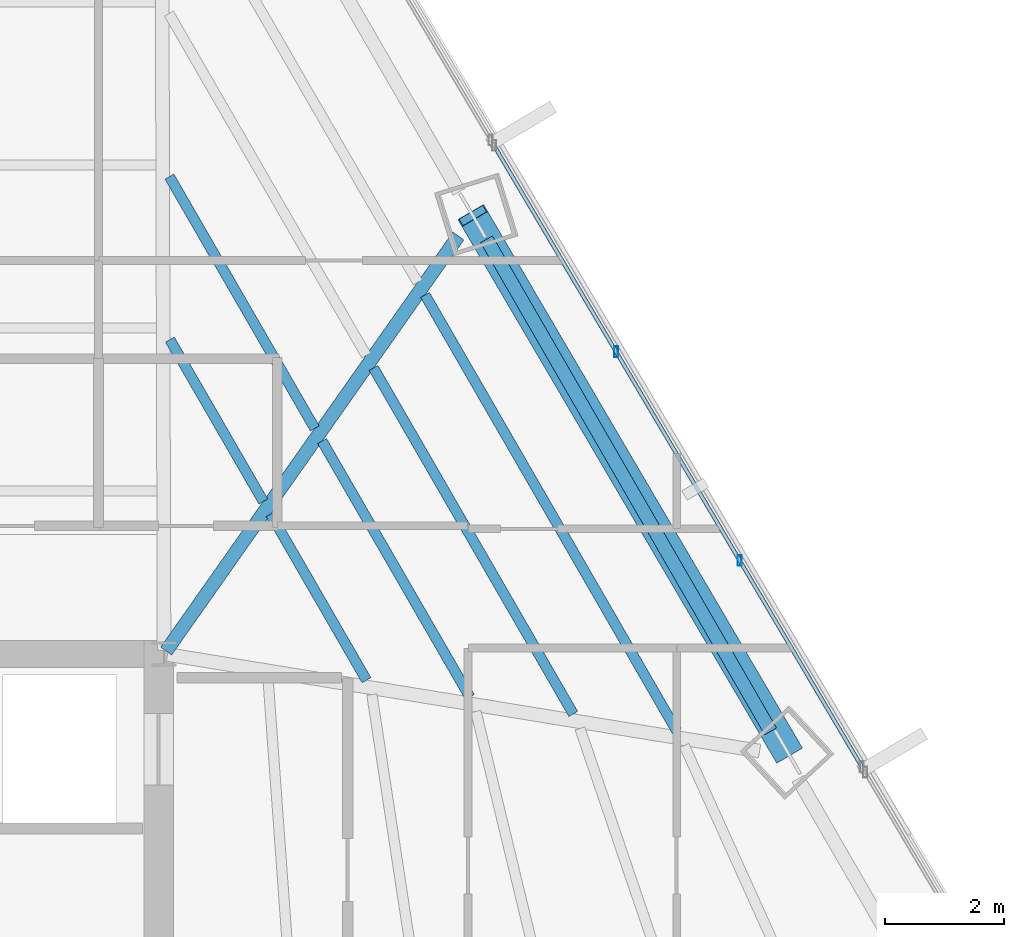
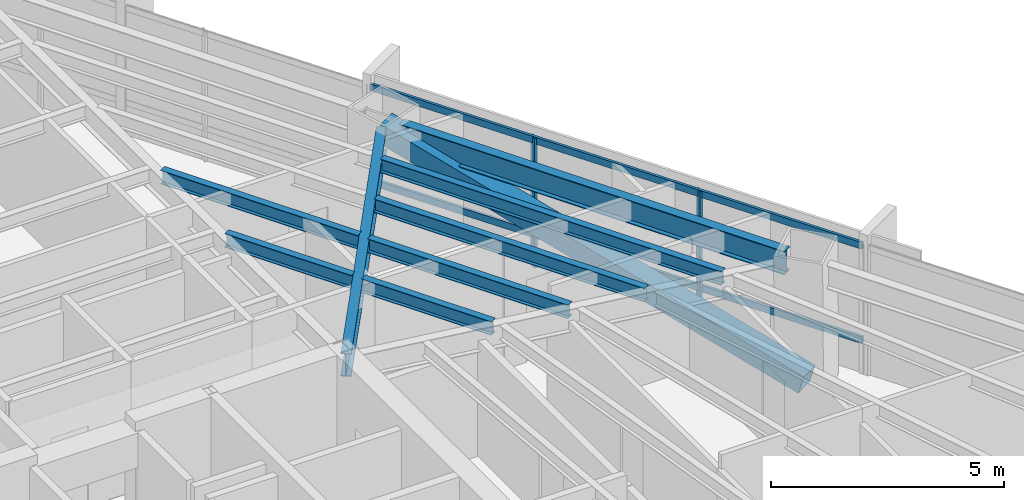
# One storey, part 22 of 37: 8 beams, 5 members, 1 element without a shape of its own.
"""IFC4 building model written with IfcOpenShell, lengths in metres."""

import ifcopenshell
import ifcopenshell.guid

model = None  # the IFC model being written
_history = None  # IfcOwnerHistory: only IFC2X3 demands one
_inside = {}  # id of a spatial element -> (the spatial element, [elements in it])
_under = {}  # id of a project, library or spatial element -> (it, [spatial elements below it])
_declared = {}  # id of a project -> (the project, [libraries it declares])
_typed = {}  # id of a type object -> (the type object, [elements of that type])
_made_of = {}  # id of a material, layer set ... -> (it, [elements and type objects made of it])


def new_model(schema):
    """Start an empty IFC model of exactly this schema.

    Asked for "IFC4X3", IfcOpenShell would pick the latest addendum, in which some entities
    have other attributes; the version numbers below select the first issue.
    IFC2X3 requires an IfcOwnerHistory on every rooted entity: one is made here for all.
    """
    global model, _history
    if schema == "IFC4X3":
        model = ifcopenshell.file(schema_version=(4, 3, 0, 0))
    else:
        model = ifcopenshell.file(schema=schema)
    _inside.clear()
    _under.clear()
    _declared.clear()
    _typed.clear()
    _made_of.clear()
    _history = None
    if model.schema == "IFC2X3":
        org = make("IfcOrganization", Name="unknown")
        user = make(
            "IfcPersonAndOrganization",
            ThePerson=make("IfcPerson", FamilyName="unknown"),
            TheOrganization=org,
        )
        app = make(
            "IfcApplication",
            ApplicationDeveloper=org,
            Version="unknown",
            ApplicationFullName="unknown",
            ApplicationIdentifier="unknown",
        )
        _history = make(
            "IfcOwnerHistory",
            OwningUser=user,
            OwningApplication=app,
            ChangeAction="ADDED",
            CreationDate=0,
        )
    return model


def make(cls, **values):
    """One entity of the class cls with the attributes given. An attribute that is None is left unset."""
    return model.create_entity(
        cls, **{name: value for name, value in values.items() if value is not None}
    )


def rooted(cls, **values):
    """An entity with a GlobalId (a new one), such as an element, a storey or a relation."""
    return make(cls, GlobalId=ifcopenshell.guid.new(), OwnerHistory=_history, **values)


def si_unit(unit_type, name, prefix=None):
    """IfcSIUnit, for example si_unit("LENGTHUNIT", "METRE", prefix="MILLI")."""
    return make("IfcSIUnit", UnitType=unit_type, Prefix=prefix, Name=name)


def assignment(units):
    """IfcUnitAssignment: the units of a project."""
    return None if units is None else make("IfcUnitAssignment", Units=units)


def point(xyz):
    """IfcCartesianPoint."""
    return None if xyz is None else make("IfcCartesianPoint", Coordinates=xyz)


def direction(xyz):
    """IfcDirection."""
    return None if xyz is None else make("IfcDirection", DirectionRatios=xyz)


def frame(location, z_axis=None, x_axis=None):
    """IfcAxis2Placement3D, a coordinate frame: its origin and axes. An axis left out is left unset."""
    return make(
        "IfcAxis2Placement3D",
        Location=point(location),
        Axis=direction(z_axis),
        RefDirection=direction(x_axis),
    )


def frame_2d(location, x_axis=None):
    """IfcAxis2Placement2D, a coordinate frame in the plane: its origin and x axis."""
    return make(
        "IfcAxis2Placement2D", Location=point(location), RefDirection=direction(x_axis)
    )


def origin():
    """The frame at (0, 0, 0) with its axes left unset."""
    return frame((0.0, 0.0, 0.0))


def origin_2d():
    """The frame at (0, 0) in the plane with its x axis left unset."""
    return frame_2d((0.0, 0.0))


def place(relative_to, where):
    """IfcLocalPlacement: puts the frame where relative to a parent placement (None: the world)."""
    return make(
        "IfcLocalPlacement", PlacementRelTo=relative_to, RelativePlacement=where
    )


def context(
    kind, dimensions, precision=None, world=None, true_north=None, identifier=None
):
    """IfcGeometricRepresentationContext, for example the 3D "Model" context."""
    return make(
        "IfcGeometricRepresentationContext",
        ContextIdentifier=identifier,
        ContextType=kind,
        CoordinateSpaceDimension=dimensions,
        Precision=precision,
        WorldCoordinateSystem=world,
        TrueNorth=true_north,
    )


def subcontext(parent, identifier, kind, view, scale=None):
    """IfcGeometricRepresentationSubContext, for example "Body" below "Model"."""
    return make(
        "IfcGeometricRepresentationSubContext",
        ContextIdentifier=identifier,
        ContextType=kind,
        ParentContext=parent,
        TargetScale=scale,
        TargetView=view,
    )


def project(units=None, contexts=None):
    """IfcProject with its units and contexts."""
    return rooted(
        "IfcProject",
        Name="project",
        RepresentationContexts=contexts,
        UnitsInContext=assignment(units),
    )


def spatial(cls, under=None, at=None, **own):
    """A site, building, storey or space (cls), placed at a placement, below another one or the project."""
    s = rooted(cls, ObjectPlacement=at, **own)
    if under is not None:
        _under.setdefault(under.id(), (under, []))[1].append(s)
    return s


def profile(cls, at=None, kind="AREA", **sizes):
    """A parametric profile (cls). Its sizes go by their IFC names, for example OverallWidth=200.0."""
    return make(cls, ProfileType=kind, Position=at, **sizes)


def hollow_rectangle(**sizes):
    """IfcRectangleHollowProfileDef."""
    return profile("IfcRectangleHollowProfileDef", **sizes)


def i_section(**sizes):
    """IfcIShapeProfileDef."""
    return profile("IfcIShapeProfileDef", **sizes)


def extrude(swept, where, along, depth):
    """IfcExtrudedAreaSolid: the profile swept, set in the frame where, extruded along a direction by depth."""
    return make(
        "IfcExtrudedAreaSolid",
        SweptArea=swept,
        Position=where,
        ExtrudedDirection=direction(along),
        Depth=depth,
    )


def shape(context_of_items, identifier, shape_type, items):
    """IfcShapeRepresentation: the items that make up one representation, for example the "Body"."""
    return make(
        "IfcShapeRepresentation",
        ContextOfItems=context_of_items,
        RepresentationIdentifier=identifier,
        RepresentationType=shape_type,
        Items=items,
    )


def source(mapping_origin, context_of_items, identifier, shape_type, items):
    """IfcRepresentationMap: a shape defined once, which mapped items show again and again."""
    return make(
        "IfcRepresentationMap",
        MappingOrigin=mapping_origin,
        MappedRepresentation=shape(context_of_items, identifier, shape_type, items),
    )


def transform(
    local_origin,
    x_axis=None,
    y_axis=None,
    z_axis=None,
    scale=None,
    scale2=None,
    scale3=None,
    uniform=True,
):
    """IfcCartesianTransformationOperator3D, or its non-uniform kind. x_axis, y_axis, z_axis: its Axis1, 2, 3."""
    if uniform:
        return make(
            "IfcCartesianTransformationOperator3D",
            Axis1=direction(x_axis),
            Axis2=direction(y_axis),
            LocalOrigin=point(local_origin),
            Scale=scale,
            Axis3=direction(z_axis),
        )
    return make(
        "IfcCartesianTransformationOperator3DnonUniform",
        Axis1=direction(x_axis),
        Axis2=direction(y_axis),
        LocalOrigin=point(local_origin),
        Scale=scale,
        Axis3=direction(z_axis),
        Scale2=scale2,
        Scale3=scale3,
    )


def mapped(mapping_source, mapping_target):
    """IfcMappedItem: shows the shape of a source again, moved by a transform."""
    return make(
        "IfcMappedItem", MappingSource=mapping_source, MappingTarget=mapping_target
    )


def material(Name=None, Category=None):
    """IfcMaterial."""
    return make("IfcMaterial", Name=Name, Category=Category)


def material_profile(
    of_material, cross_section, Name=None, Category=None, Priority=None
):
    """IfcMaterialProfile: a cross section and its material."""
    return make(
        "IfcMaterialProfile",
        Name=Name,
        Material=of_material,
        Profile=cross_section,
        Priority=Priority,
        Category=Category,
    )


def profile_set(profiles, Name=None, composite=None):
    """IfcMaterialProfileSet."""
    return make(
        "IfcMaterialProfileSet",
        Name=Name,
        MaterialProfiles=profiles,
        CompositeProfile=composite,
    )


def made_of(thing, what):
    """Note that an element or type object is made of a material, layer set ...; save() writes the relation."""
    if what is not None:
        _made_of.setdefault(what.id(), (what, []))[1].append(thing)
    return thing


def type_object(cls, material=None, **own):
    """A type object (cls), such as IfcWallType, which elements share."""
    return made_of(rooted(cls, **own), material)


def type_shapes(of_type, sources):
    """Give a type object the sources (RepresentationMaps) that its elements show as mapped items."""
    of_type.RepresentationMaps = sources


def element(
    cls,
    number,
    at=None,
    inside=None,
    cuts=None,
    type_object=None,
    material=None,
    context=None,
    identifier="Body",
    shape_type=None,
    held_by="IfcProductDefinitionShape",
    body=None,
    shapes=None,
    **own,
):
    """One element of the class cls, such as IfcWall. Its Tag is "e" and its number.

    at: its placement. inside: the storey or other place that contains it. cuts: it is an
    opening in that element (IfcRelVoidsElement). A single representation is given by context,
    identifier, shape_type and body (its items); several are given by shapes. held_by: the class
    of the entity that holds the representations. save() writes the other relations.
    """
    e = rooted(cls, Tag="e%d" % number, ObjectPlacement=at, **own)
    if body is not None:
        shapes = [shape(context, identifier, shape_type, body)]
    if shapes is not None:
        e.Representation = make(held_by, Representations=shapes)
    if inside is not None:
        _inside.setdefault(inside.id(), (inside, []))[1].append(e)
    if cuts is not None:
        rooted(
            "IfcRelVoidsElement", RelatingBuildingElement=cuts, RelatedOpeningElement=e
        )
    if type_object is not None:
        _typed.setdefault(type_object.id(), (type_object, []))[1].append(e)
    return made_of(e, material)


def aggregate(whole, parts):
    """IfcRelAggregates: a whole, such as a stair, and the parts it consists of."""
    return rooted("IfcRelAggregates", RelatingObject=whole, RelatedObjects=parts)


def save(model, path):
    """Write the relations noted so far, then the file.

    IfcRelAggregates (storeys below a building ...), IfcRelContainedInSpatialStructure (elements
    in a storey), IfcRelDefinesByType, IfcRelAssociatesMaterial and IfcRelDeclares: one each for
    every whole, place, type object, material and project.
    """
    for whole, parts in _under.values():
        aggregate(whole, parts)
    for where, things in _inside.values():
        rooted(
            "IfcRelContainedInSpatialStructure",
            RelatedElements=things,
            RelatingStructure=where,
        )
    for kind, things in _typed.values():
        rooted("IfcRelDefinesByType", RelatedObjects=things, RelatingType=kind)
    for what, things in _made_of.values():
        rooted("IfcRelAssociatesMaterial", RelatedObjects=things, RelatingMaterial=what)
    for by, libraries in _declared.values():
        rooted("IfcRelDeclares", RelatingContext=by, RelatedDefinitions=libraries)
    model.write(path)


model = new_model("IFC4")

# Units and contexts
model_context = context("Model", 3, precision=1e-05, world=origin(), true_north=direction((0.0, 1.0)))
body_context = subcontext(model_context, "Body", "Model", "MODEL_VIEW")
ifc_project = project(units=[si_unit("LENGTHUNIT", "METRE"), si_unit("AREAUNIT", "SQUARE_METRE"), si_unit("VOLUMEUNIT", "CUBIC_METRE"), si_unit("PLANEANGLEUNIT", "RADIAN"), si_unit("MASSUNIT", "GRAM", prefix="KILO")], contexts=[model_context])

# Site, building, storey
site_placement = place(None, origin())
site = spatial("IfcSite", under=ifc_project, at=site_placement, CompositionType="ELEMENT")
building_placement = place(site_placement, origin())
building = spatial("IfcBuilding", under=site, at=building_placement, Name="Caelisora Broadcast Tower", CompositionType="ELEMENT")
storey_placement = place(building_placement, frame((0.0, 0.0, 101.75)))
storey = spatial("IfcBuildingStorey", under=building, at=storey_placement, Name="L26", CompositionType="ELEMENT", Elevation=101.75)

# Beams
ifc_material_1 = material(Name="Steel Grade 350 (AS/NZS 3679.1)", Category="steel")
ifc_material_profile_1 = material_profile(ifc_material_1, i_section(OverallWidth=0.22900390625, OverallDepth=0.611572265625, WebThickness=0.011962890625, FlangeThickness=0.01953125, at=origin_2d()), Name="Steel Grade 350 (AS/NZS 3679.1)")
ifc_profile_set_1 = profile_set([ifc_material_profile_1], Name="Steel Grade 350 (AS/NZS 3679.1)")
beam_type_1 = type_object("IfcBeamType", Name="PG03", PredefinedType="BEAM", material=ifc_profile_set_1)
shared_shape_1 = source(origin(), body_context, "Body", "SweptSolid", [
    extrude(i_section(OverallWidth=0.22900390625, OverallDepth=0.611572265625, WebThickness=0.011962890625, FlangeThickness=0.01953125, at=origin_2d()), origin(), (0.0, 0.0, 1.0), 9.533203125),
])
type_shapes(beam_type_1, [shared_shape_1])
beam_1_placement = place(storey_placement, frame((55.676513671875, 28.701416015625, 3.09423828125), z_axis=(-0.499995120407, 0.866028221, 0.0), x_axis=(-0.866028221, -0.499995120407, 0.0)))
element("IfcBeam", 1, at=beam_1_placement, inside=storey, type_object=beam_type_1, Name="L26 beam PG03", PredefinedType="BEAM", context=body_context, shape_type="MappedRepresentation", body=[
    mapped(shared_shape_1, transform((0.0, 0.0, 0.0), scale=1.0)),
])
ifc_material_profile_2 = material_profile(ifc_material_1, i_section(OverallWidth=0.22802734375, OverallDepth=0.602294921875, WebThickness=0.010498046875, FlangeThickness=0.014892578125, at=origin_2d()), Name="Steel Grade 350 (AS/NZS 3679.1)")
ifc_profile_set_2 = profile_set([ifc_material_profile_2], Name="Steel Grade 350 (AS/NZS 3679.1)")
beam_type_2 = type_object("IfcBeamType", Name="PG04", PredefinedType="BEAM", material=ifc_profile_set_2)
shared_shape_2 = source(origin(), body_context, "Body", "SweptSolid", [
    extrude(i_section(OverallWidth=0.22802734375, OverallDepth=0.602294921875, WebThickness=0.010498046875, FlangeThickness=0.014892578125, at=origin_2d()), origin(), (0.0, 0.0, 1.0), 8.516845703125),
])
type_shapes(beam_type_2, [shared_shape_2])
beam_2_placement = place(storey_placement, frame((45.534423828125, 30.049072265625, 3.098876953125), z_axis=(0.575747581319, 0.817627496239, 0.0), x_axis=(-0.817627496239, 0.575747581319, 0.0)))
element("IfcBeam", 2, at=beam_2_placement, inside=storey, type_object=beam_type_2, Name="L26 beam PG04", PredefinedType="BEAM", context=body_context, shape_type="MappedRepresentation", body=[
    mapped(shared_shape_2, transform((0.0, 0.0, 0.0), scale=1.0)),
])
ifc_material_profile_3 = material_profile(ifc_material_1, i_section(OverallWidth=0.172119140625, OverallDepth=0.358642578125, WebThickness=0.008056640625, FlangeThickness=0.012939453125, at=origin_2d()), Name="Steel Grade 350 (AS/NZS 3679.1)")
ifc_profile_set_3 = profile_set([ifc_material_profile_3], Name="Steel Grade 350 (AS/NZS 3679.1)")
beam_type_3 = type_object("IfcBeamType", Name="SB02", PredefinedType="JOIST", material=ifc_profile_set_3)
shared_shape_3 = source(origin(), body_context, "Body", "SweptSolid", [
    extrude(i_section(OverallWidth=0.172119140625, OverallDepth=0.358642578125, WebThickness=0.008056640625, FlangeThickness=0.012939453125, at=origin_2d()), origin(), (0.0, 0.0, 1.0), 3.1357421875),
])
beam_3_placement = place(storey_placement, frame((47.165283203125, 32.55810546875, 3.220703125), z_axis=(-0.500007763792, 0.866020921311, 0.0), x_axis=(-0.866020921311, -0.500007763792, 0.0)))
element("IfcBeam", 3, at=beam_3_placement, inside=storey, type_object=beam_type_3, Name="L26 beam SB02", PredefinedType="JOIST", context=body_context, shape_type="MappedRepresentation", body=[
    mapped(shared_shape_3, transform((0.0, 0.0, 0.0), scale=1.0)),
])
shared_shape_4 = source(origin(), body_context, "Body", "SweptSolid", [
    extrude(i_section(OverallWidth=0.172119140625, OverallDepth=0.358642578125, WebThickness=0.008056640625, FlangeThickness=0.012939453125, at=origin_2d()), origin(), (0.0, 0.0, 1.0), 4.8779296875),
])
beam_4_placement = place(storey_placement, frame((48.028564453125, 33.7841796875, 3.220703125), z_axis=(-0.500004065051, 0.866023056814, 0.0), x_axis=(-0.866023056814, -0.500004065051, 0.0)))
element("IfcBeam", 4, at=beam_4_placement, inside=storey, type_object=beam_type_3, Name="L26 beam SB02", PredefinedType="JOIST", context=body_context, shape_type="MappedRepresentation", body=[
    mapped(shared_shape_4, transform((0.0, 0.0, 0.0), scale=1.0)),
])
shared_shape_5 = source(origin(), body_context, "Body", "SweptSolid", [
    extrude(i_section(OverallWidth=0.172119140625, OverallDepth=0.358642578125, WebThickness=0.008056640625, FlangeThickness=0.012939453125, at=origin_2d()), origin(), (0.0, 0.0, 1.0), 3.2177734375),
])
beam_5_placement = place(storey_placement, frame((48.896728515625, 29.55908203125, 3.220703125), z_axis=(-0.500007057792, 0.866021328928, 0.0), x_axis=(-0.866021328928, -0.500007057792, 0.0)))
element("IfcBeam", 5, at=beam_5_placement, inside=storey, type_object=beam_type_3, Name="L26 beam SB02", PredefinedType="JOIST", context=body_context, shape_type="MappedRepresentation", body=[
    mapped(shared_shape_5, transform((0.0, 0.0, 0.0), scale=1.0)),
])
shared_shape_6 = source(origin(), body_context, "Body", "SweptSolid", [
    extrude(i_section(OverallWidth=0.172119140625, OverallDepth=0.358642578125, WebThickness=0.008056640625, FlangeThickness=0.012939453125, at=origin_2d()), origin(), (0.0, 0.0, 1.0), 4.9599609375),
])
beam_6_placement = place(storey_placement, frame((50.631103515625, 29.2763671875, 3.220703125), z_axis=(-0.50000366821, 0.866023285932, 0.0), x_axis=(-0.866023285932, -0.50000366821, 0.0)))
element("IfcBeam", 6, at=beam_6_placement, inside=storey, type_object=beam_type_3, Name="L26 beam SB02", PredefinedType="JOIST", context=body_context, shape_type="MappedRepresentation", body=[
    mapped(shared_shape_6, transform((0.0, 0.0, 0.0), scale=1.0)),
])
shared_shape_7 = source(origin(), body_context, "Body", "SweptSolid", [
    extrude(i_section(OverallWidth=0.172119140625, OverallDepth=0.358642578125, WebThickness=0.008056640625, FlangeThickness=0.012939453125, at=origin_2d()), origin(), (0.0, 0.0, 1.0), 6.702392578125),
])
beam_7_placement = place(storey_placement, frame((52.365478515625, 28.993408203125, 3.220703125), z_axis=(-0.499986267709, 0.866033331981, 0.0), x_axis=(-0.866033331981, -0.499986267709, 0.0)))
element("IfcBeam", 7, at=beam_7_placement, inside=storey, type_object=beam_type_3, Name="L26 beam SB02", PredefinedType="JOIST", context=body_context, shape_type="MappedRepresentation", body=[
    mapped(shared_shape_7, transform((0.0, 0.0, 0.0), scale=1.0)),
])
shared_shape_8 = source(origin(), body_context, "Body", "SweptSolid", [
    extrude(i_section(OverallWidth=0.172119140625, OverallDepth=0.358642578125, WebThickness=0.008056640625, FlangeThickness=0.012939453125, at=origin_2d()), origin(), (0.0, 0.0, 1.0), 8.4443359375),
])
type_shapes(beam_type_3, [shared_shape_3, shared_shape_4, shared_shape_5, shared_shape_6, shared_shape_7, shared_shape_8])
beam_8_placement = place(storey_placement, frame((54.10009765625, 28.710693359375, 3.220703125), z_axis=(-0.500022768355, 0.866012258069, 0.0), x_axis=(-0.866012258069, -0.500022768355, 0.0)))
element("IfcBeam", 8, at=beam_8_placement, inside=storey, type_object=beam_type_3, Name="L26 beam SB02", PredefinedType="JOIST", context=body_context, shape_type="MappedRepresentation", body=[
    mapped(shared_shape_8, transform((0.0, 0.0, 0.0), scale=1.0)),
])

# Member
ifc_material_2 = material(Name="Steel Grade 450 L15 (AS/NZS 3678)", Category="steel")
ifc_material_profile_4 = material_profile(ifc_material_2, hollow_rectangle(XDim=0.5, YDim=0.5, WallThickness=0.02001953125, at=origin_2d()), Name="Steel Grade 450 L15 (AS/NZS 3678)")
ifc_profile_set_4 = profile_set([ifc_material_profile_4], Name="Steel Grade 450 L15 (AS/NZS 3678)")
member_type_1 = type_object("IfcMemberType", Name="BR02", PredefinedType="BRACE", material=ifc_profile_set_4)
shared_shape_9 = source(origin(), body_context, "Body", "SweptSolid", [
    extrude(hollow_rectangle(XDim=0.5, YDim=0.5, WallThickness=0.02001953125, at=origin_2d()), origin(), (0.0, 0.0, 1.0), 10.85986328125),
])
type_shapes(member_type_1, [shared_shape_9])
member_1_placement = place(storey_placement, frame((55.9609375, 28.353515625, 0.10009765625), z_axis=(-0.486311290689, 0.828968312355, 0.276247833764), x_axis=(-0.862532528506, -0.506001617851, 0.0)))
element("IfcMember", 9, at=member_1_placement, inside=storey, type_object=member_type_1, Name="L26 perimeter brace BR02", PredefinedType="BRACE", context=body_context, shape_type="MappedRepresentation", body=[
    mapped(shared_shape_9, transform((0.0, 0.0, 0.0), scale=1.0)),
])

# Curtain wall, members
ifc_material_3 = material(Name="Unitised Aluminium Insulated Shadow-Box Spandrel Curtain Wall", Category="aluminium")
curtain_wall_type = type_object("IfcCurtainWallType", Name="CW-SP1", PredefinedType="NOTDEFINED", material=ifc_material_3)
curtain_wall_placement = place(storey_placement, origin())
curtain_wall = element("IfcCurtainWall", 10, at=curtain_wall_placement, inside=storey, type_object=curtain_wall_type, Name="L26 curtain wall CW-SP1", PredefinedType="NOTDEFINED")
ifc_material_4 = material(Name="Aluminium 6063-T6 Anodised Terracotta Bronze", Category="aluminium")
ifc_material_profile_5 = material_profile(ifc_material_4, hollow_rectangle(XDim=0.06494140625, YDim=0.179931640625, WallThickness=0.00341796875, at=origin_2d()), Name="Aluminium 6063-T6 Anodised Terracotta Bronze")
ifc_profile_set_5 = profile_set([ifc_material_profile_5], Name="Aluminium 6063-T6 Anodised Terracotta Bronze")
member_type_2 = type_object("IfcMemberType", Name="CWM-02", PredefinedType="MULLION", material=ifc_profile_set_5)
shared_shape_10 = source(origin(), body_context, "Body", "SweptSolid", [
    extrude(hollow_rectangle(XDim=0.06494140625, YDim=0.179931640625, WallThickness=0.00341796875, at=origin_2d()), origin(), (0.0, 0.0, 1.0), 3.39990234375),
])
type_shapes(member_type_2, [shared_shape_10])
member_2_placement = place(storey_placement, frame((53.084716796875, 35.070068359375, 0.0), z_axis=(0.0, 0.0, 1.0), x_axis=(1.0, 0.0, 0.0)))
member_2 = element("IfcMember", 11, at=member_2_placement, type_object=member_type_2, Name="L26-CW-B02 mullion #1", PredefinedType="MULLION", context=body_context, shape_type="MappedRepresentation", body=[
    mapped(shared_shape_10, transform((0.0, 0.0, 0.0), scale=1.0)),
])
member_3_placement = place(storey_placement, frame((55.158203125, 31.56787109375, 0.0), z_axis=(0.0, 0.0, 1.0), x_axis=(1.0, 0.0, 0.0)))
member_3 = element("IfcMember", 12, at=member_3_placement, type_object=member_type_2, Name="L26-CW-B02 mullion #2", PredefinedType="MULLION", context=body_context, shape_type="MappedRepresentation", body=[
    mapped(shared_shape_10, transform((0.0, 0.0, 0.0), scale=1.0)),
])
ifc_material_profile_6 = material_profile(ifc_material_4, hollow_rectangle(XDim=0.06494140625, YDim=0.179931640625, WallThickness=0.00341796875, at=origin_2d()), Name="Aluminium 6063-T6 Anodised Terracotta Bronze")
ifc_profile_set_6 = profile_set([ifc_material_profile_6], Name="Aluminium 6063-T6 Anodised Terracotta Bronze")
member_type_3 = type_object("IfcMemberType", Name="CWT-01", PredefinedType="USERDEFINED", material=ifc_profile_set_6)
shared_shape_11 = source(origin(), body_context, "Body", "SweptSolid", [
    extrude(hollow_rectangle(XDim=0.06494140625, YDim=0.179931640625, WallThickness=0.00341796875, at=origin_2d()), origin(), (0.0, 0.0, 1.0), 12.110107421875),
])
type_shapes(member_type_3, [shared_shape_11])
member_4_placement = place(storey_placement, frame((51.036865234375, 38.529296875, 0.85009765625), z_axis=(0.509426012506, -0.860514461111, 0.0), x_axis=(0.860514461111, 0.509426012506, 0.0)))
member_4 = element("IfcMember", 13, at=member_4_placement, type_object=member_type_3, Name="L26-CW-B02 transom #1", ObjectType="TRANSOM", PredefinedType="USERDEFINED", context=body_context, shape_type="MappedRepresentation", body=[
    mapped(shared_shape_11, transform((0.0, 0.0, 0.0), scale=1.0)),
])
member_5_placement = place(storey_placement, frame((51.036865234375, 38.529296875, 3.320068359375), z_axis=(0.509426012506, -0.860514461111, 0.0), x_axis=(0.860514461111, 0.509426012506, 0.0)))
member_5 = element("IfcMember", 14, at=member_5_placement, type_object=member_type_3, Name="L26-CW-B02 transom #2", ObjectType="TRANSOM", PredefinedType="USERDEFINED", context=body_context, shape_type="MappedRepresentation", body=[
    mapped(shared_shape_11, transform((0.0, 0.0, 0.0), scale=1.0)),
])
aggregate(curtain_wall, [member_2, member_3, member_4, member_5])

save(model, "model.ifc")
